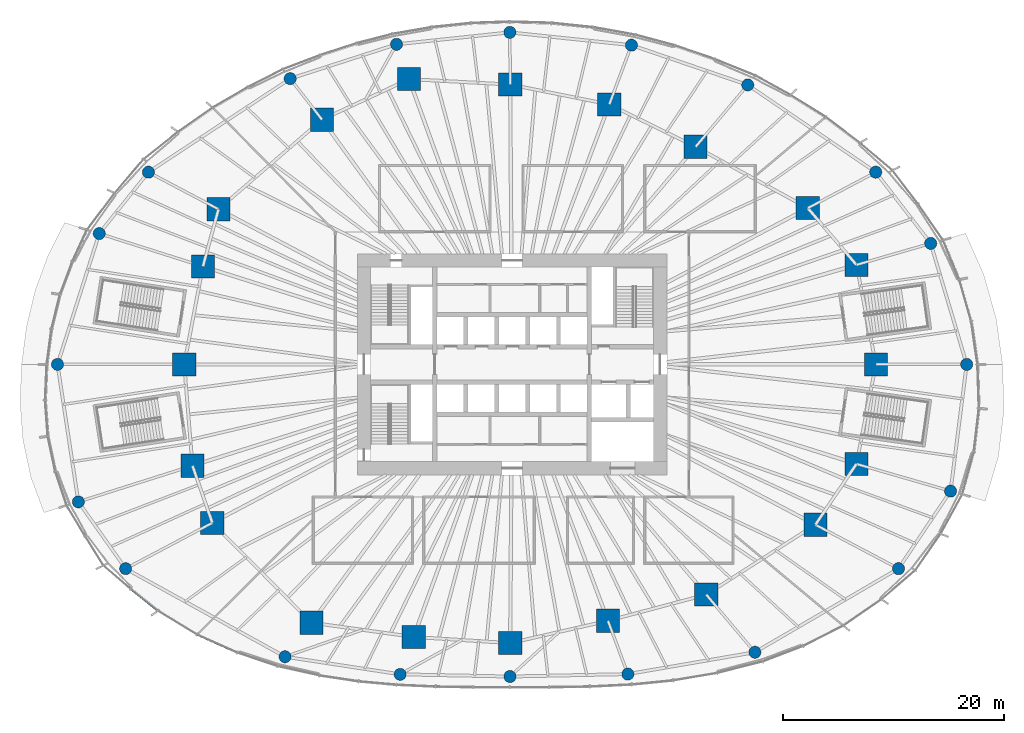
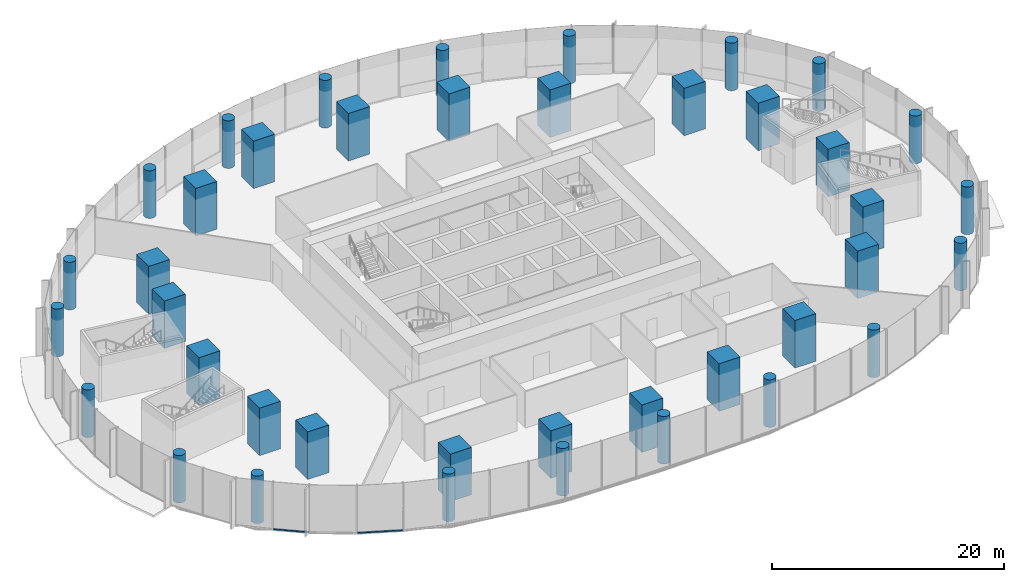
# One storey, part 1 of 28: 40 columns, 2 members, 2 elements without a shape of their own.
"""IFC4 building model written with IfcOpenShell, lengths in metres."""

import ifcopenshell
import ifcopenshell.guid

model = None  # the IFC model being written
_history = None  # IfcOwnerHistory: only IFC2X3 demands one
_inside = {}  # id of a spatial element -> (the spatial element, [elements in it])
_under = {}  # id of a project, library or spatial element -> (it, [spatial elements below it])
_declared = {}  # id of a project -> (the project, [libraries it declares])
_typed = {}  # id of a type object -> (the type object, [elements of that type])
_made_of = {}  # id of a material, layer set ... -> (it, [elements and type objects made of it])


def new_model(schema):
    """Start an empty IFC model of exactly this schema.

    Asked for "IFC4X3", IfcOpenShell would pick the latest addendum, in which some entities
    have other attributes; the version numbers below select the first issue.
    IFC2X3 requires an IfcOwnerHistory on every rooted entity: one is made here for all.
    """
    global model, _history
    if schema == "IFC4X3":
        model = ifcopenshell.file(schema_version=(4, 3, 0, 0))
    else:
        model = ifcopenshell.file(schema=schema)
    _inside.clear()
    _under.clear()
    _declared.clear()
    _typed.clear()
    _made_of.clear()
    _history = None
    if model.schema == "IFC2X3":
        org = make("IfcOrganization", Name="unknown")
        user = make(
            "IfcPersonAndOrganization",
            ThePerson=make("IfcPerson", FamilyName="unknown"),
            TheOrganization=org,
        )
        app = make(
            "IfcApplication",
            ApplicationDeveloper=org,
            Version="unknown",
            ApplicationFullName="unknown",
            ApplicationIdentifier="unknown",
        )
        _history = make(
            "IfcOwnerHistory",
            OwningUser=user,
            OwningApplication=app,
            ChangeAction="ADDED",
            CreationDate=0,
        )
    return model


def make(cls, **values):
    """One entity of the class cls with the attributes given. An attribute that is None is left unset."""
    return model.create_entity(
        cls, **{name: value for name, value in values.items() if value is not None}
    )


def rooted(cls, **values):
    """An entity with a GlobalId (a new one), such as an element, a storey or a relation."""
    return make(cls, GlobalId=ifcopenshell.guid.new(), OwnerHistory=_history, **values)


def si_unit(unit_type, name, prefix=None):
    """IfcSIUnit, for example si_unit("LENGTHUNIT", "METRE", prefix="MILLI")."""
    return make("IfcSIUnit", UnitType=unit_type, Prefix=prefix, Name=name)


def assignment(units):
    """IfcUnitAssignment: the units of a project."""
    return None if units is None else make("IfcUnitAssignment", Units=units)


def point(xyz):
    """IfcCartesianPoint."""
    return None if xyz is None else make("IfcCartesianPoint", Coordinates=xyz)


def direction(xyz):
    """IfcDirection."""
    return None if xyz is None else make("IfcDirection", DirectionRatios=xyz)


def frame(location, z_axis=None, x_axis=None):
    """IfcAxis2Placement3D, a coordinate frame: its origin and axes. An axis left out is left unset."""
    return make(
        "IfcAxis2Placement3D",
        Location=point(location),
        Axis=direction(z_axis),
        RefDirection=direction(x_axis),
    )


def frame_2d(location, x_axis=None):
    """IfcAxis2Placement2D, a coordinate frame in the plane: its origin and x axis."""
    return make(
        "IfcAxis2Placement2D", Location=point(location), RefDirection=direction(x_axis)
    )


def origin():
    """The frame at (0, 0, 0) with its axes left unset."""
    return frame((0.0, 0.0, 0.0))


def origin_2d():
    """The frame at (0, 0) in the plane with its x axis left unset."""
    return frame_2d((0.0, 0.0))


def place(relative_to, where):
    """IfcLocalPlacement: puts the frame where relative to a parent placement (None: the world)."""
    return make(
        "IfcLocalPlacement", PlacementRelTo=relative_to, RelativePlacement=where
    )


def context(
    kind, dimensions, precision=None, world=None, true_north=None, identifier=None
):
    """IfcGeometricRepresentationContext, for example the 3D "Model" context."""
    return make(
        "IfcGeometricRepresentationContext",
        ContextIdentifier=identifier,
        ContextType=kind,
        CoordinateSpaceDimension=dimensions,
        Precision=precision,
        WorldCoordinateSystem=world,
        TrueNorth=true_north,
    )


def subcontext(parent, identifier, kind, view, scale=None):
    """IfcGeometricRepresentationSubContext, for example "Body" below "Model"."""
    return make(
        "IfcGeometricRepresentationSubContext",
        ContextIdentifier=identifier,
        ContextType=kind,
        ParentContext=parent,
        TargetScale=scale,
        TargetView=view,
    )


def project(units=None, contexts=None):
    """IfcProject with its units and contexts."""
    return rooted(
        "IfcProject",
        Name="project",
        RepresentationContexts=contexts,
        UnitsInContext=assignment(units),
    )


def spatial(cls, under=None, at=None, **own):
    """A site, building, storey or space (cls), placed at a placement, below another one or the project."""
    s = rooted(cls, ObjectPlacement=at, **own)
    if under is not None:
        _under.setdefault(under.id(), (under, []))[1].append(s)
    return s


def profile(cls, at=None, kind="AREA", **sizes):
    """A parametric profile (cls). Its sizes go by their IFC names, for example OverallWidth=200.0."""
    return make(cls, ProfileType=kind, Position=at, **sizes)


def rectangle(**sizes):
    """IfcRectangleProfileDef."""
    return profile("IfcRectangleProfileDef", **sizes)


def circle(**sizes):
    """IfcCircleProfileDef."""
    return profile("IfcCircleProfileDef", **sizes)


def extrude(swept, where, along, depth):
    """IfcExtrudedAreaSolid: the profile swept, set in the frame where, extruded along a direction by depth."""
    return make(
        "IfcExtrudedAreaSolid",
        SweptArea=swept,
        Position=where,
        ExtrudedDirection=direction(along),
        Depth=depth,
    )


def shape(context_of_items, identifier, shape_type, items):
    """IfcShapeRepresentation: the items that make up one representation, for example the "Body"."""
    return make(
        "IfcShapeRepresentation",
        ContextOfItems=context_of_items,
        RepresentationIdentifier=identifier,
        RepresentationType=shape_type,
        Items=items,
    )


def material(Name=None, Category=None):
    """IfcMaterial."""
    return make("IfcMaterial", Name=Name, Category=Category)


def material_profile(
    of_material, cross_section, Name=None, Category=None, Priority=None
):
    """IfcMaterialProfile: a cross section and its material."""
    return make(
        "IfcMaterialProfile",
        Name=Name,
        Material=of_material,
        Profile=cross_section,
        Priority=Priority,
        Category=Category,
    )


def profile_set(profiles, Name=None, composite=None):
    """IfcMaterialProfileSet."""
    return make(
        "IfcMaterialProfileSet",
        Name=Name,
        MaterialProfiles=profiles,
        CompositeProfile=composite,
    )


def made_of(thing, what):
    """Note that an element or type object is made of a material, layer set ...; save() writes the relation."""
    if what is not None:
        _made_of.setdefault(what.id(), (what, []))[1].append(thing)
    return thing


def type_object(cls, material=None, **own):
    """A type object (cls), such as IfcWallType, which elements share."""
    return made_of(rooted(cls, **own), material)


def element(
    cls,
    number,
    at=None,
    inside=None,
    cuts=None,
    type_object=None,
    material=None,
    context=None,
    identifier="Body",
    shape_type=None,
    held_by="IfcProductDefinitionShape",
    body=None,
    shapes=None,
    **own,
):
    """One element of the class cls, such as IfcWall. Its Tag is "e" and its number.

    at: its placement. inside: the storey or other place that contains it. cuts: it is an
    opening in that element (IfcRelVoidsElement). A single representation is given by context,
    identifier, shape_type and body (its items); several are given by shapes. held_by: the class
    of the entity that holds the representations. save() writes the other relations.
    """
    e = rooted(cls, Tag="e%d" % number, ObjectPlacement=at, **own)
    if body is not None:
        shapes = [shape(context, identifier, shape_type, body)]
    if shapes is not None:
        e.Representation = make(held_by, Representations=shapes)
    if inside is not None:
        _inside.setdefault(inside.id(), (inside, []))[1].append(e)
    if cuts is not None:
        rooted(
            "IfcRelVoidsElement", RelatingBuildingElement=cuts, RelatedOpeningElement=e
        )
    if type_object is not None:
        _typed.setdefault(type_object.id(), (type_object, []))[1].append(e)
    return made_of(e, material)


def aggregate(whole, parts):
    """IfcRelAggregates: a whole, such as a stair, and the parts it consists of."""
    return rooted("IfcRelAggregates", RelatingObject=whole, RelatedObjects=parts)


def save(model, path):
    """Write the relations noted so far, then the file.

    IfcRelAggregates (storeys below a building ...), IfcRelContainedInSpatialStructure (elements
    in a storey), IfcRelDefinesByType, IfcRelAssociatesMaterial and IfcRelDeclares: one each for
    every whole, place, type object, material and project.
    """
    for whole, parts in _under.values():
        aggregate(whole, parts)
    for where, things in _inside.values():
        rooted(
            "IfcRelContainedInSpatialStructure",
            RelatedElements=things,
            RelatingStructure=where,
        )
    for kind, things in _typed.values():
        rooted("IfcRelDefinesByType", RelatedObjects=things, RelatingType=kind)
    for what, things in _made_of.values():
        rooted("IfcRelAssociatesMaterial", RelatedObjects=things, RelatingMaterial=what)
    for by, libraries in _declared.values():
        rooted("IfcRelDeclares", RelatingContext=by, RelatedDefinitions=libraries)
    model.write(path)


model = new_model("IFC4")

# Units and contexts
model_context = context("Model", 3, precision=1e-05, world=origin(), true_north=direction((0.0, 1.0)))
body_context = subcontext(model_context, "Body", "Model", "MODEL_VIEW")
ifc_project = project(units=[si_unit("LENGTHUNIT", "METRE"), si_unit("AREAUNIT", "SQUARE_METRE"), si_unit("VOLUMEUNIT", "CUBIC_METRE"), si_unit("PLANEANGLEUNIT", "RADIAN"), si_unit("MASSUNIT", "GRAM", prefix="KILO")], contexts=[model_context])

# Site, building, storey
site_placement = place(None, origin())
site = spatial("IfcSite", under=ifc_project, at=site_placement, CompositionType="ELEMENT")
building_placement = place(site_placement, origin())
building = spatial("IfcBuilding", under=site, at=building_placement, Name="Ghaith Harvest Tower", CompositionType="ELEMENT")
storey_placement = place(building_placement, frame((0.0, 0.0, 5.0)))
storey = spatial("IfcBuildingStorey", under=building, at=storey_placement, Name="L01", CompositionType="ELEMENT", Elevation=5.0)

# Columns
ifc_material_1 = material(Name="Concrete C70/85", Category="concrete")
ifc_material_profile_1 = material_profile(ifc_material_1, circle(Radius=0.550048828125, at=origin_2d()), Name="RC1100D")
ifc_profile_set_1 = profile_set([ifc_material_profile_1], Name="Concrete C70/85")
column_type_1 = type_object("IfcColumnType", Name="PC1 RC1100D", PredefinedType="COLUMN", material=ifc_profile_set_1)
for number, where, z_axis, x_axis, name in (
    (1, (41.14111328125, 0.0, 0.0), (0.0, 0.0, 1.0), (1.0, 0.0, 0.0), "Podium column P01"),
    (2, (37.884033203125, 10.948974609375, 0.0), (0.0, 0.0, 1.0), (1.0, 0.0, 0.0), "Podium column P02"),
    (3, (32.909912109375, 17.39501953125, 0.0), (0.0, 0.0, 1.0), (1.0, 0.0, 0.0), "Podium column P03"),
    (4, (21.327880859375, 25.2919921875, 0.0), (0.0, 0.0, 1.0), (1.0, 0.0, 0.0), "Podium column P04"),
    (5, (10.801025390625, 28.89208984375, 0.0), (0.0, 0.0, 1.0), (1.0, 0.0, 0.0), "Podium column P05"),
    (6, (-0.2060546875, 30.049072265625, 0.0), (0.0, 0.0, 1.0), (1.0, 0.0, 0.0), "Podium column P06"),
    (7, (-10.4619140625, 28.967041015625, 0.0), (0.0, 0.0, 1.0), (1.0, 0.0, 0.0), "Podium column P07"),
    (8, (-20.08203125, 25.85791015625, 0.0), (0.0, 0.0, 1.0), (1.0, 0.0, 0.0), "Podium column P08"),
    (9, (-32.9150390625, 17.39794921875, 0.0), (0.0, 0.0, 1.0), (1.0, 0.0, 0.0), "Podium column P09"),
    (10, (-37.363037109375, 11.841064453125, 0.0), (0.0, 0.0, 1.0), (1.0, 0.0, 0.0), "Podium column P10"),
    (11, (-41.14208984375, 0.0, 0.0), (0.0, 0.0, 1.0), (1.0, 0.0, 0.0), "Podium column P11"),
    (12, (-39.256103515625, -12.44091796875, 0.0), (0.0, 0.0, 1.0), (1.0, 0.0, 0.0), "Podium column P12"),
    (13, (-34.97509765625, -18.487060546875, 0.0), (0.0, 0.0, 1.0), (1.0, 0.0, 0.0), "Podium column P13"),
    (14, (-20.549072265625, -26.458984375, 0.0), (0.0, 0.0, 1.0), (1.0, 0.0, 0.0), "Podium column P14"),
    (15, (-10.131103515625, -28.050048828125, 0.0), (0.0, 0.0, 1.0), (1.0, 0.0, 0.0), "Podium column P15"),
    (16, (-0.193115234375, -28.25, 0.0), (0.0, 0.0, 1.0), (1.0, 0.0, 0.0), "Podium column P16"),
    (17, (10.47705078125, -28.027099609375, 0.0), (0.0, 0.0, 1.0), (1.0, 0.0, 0.0), "Podium column P17"),
    (18, (21.968994140625, -26.052001953125, 0.0), (0.0, 0.0, 1.0), (1.0, 0.0, 0.0), "Podium column P18"),
    (19, (34.969970703125, -18.48388671875, 0.0), (0.0, 0.0, 1.0), (1.0, 0.0, 0.0), "Podium column P19"),
    (20, (39.680908203125, -11.468994140625, 0.0), (0.0, 0.0, 1.0), (1.0, 0.0, 0.0), "Podium column P20"),
):
    element("IfcColumn", number, at=place(storey_placement, frame(where, z_axis=z_axis, x_axis=x_axis)), inside=storey, type_object=column_type_1, Name=name, PredefinedType="COLUMN", context=body_context, shape_type="SweptSolid", body=[
        extrude(circle(Radius=0.550048828125, at=origin_2d()), origin(), (0.0, 0.0, 1.0), 5.0),
    ])
ifc_material_2 = material(Name="Concrete C70/85", Category="concrete")
ifc_material_profile_2 = material_profile(ifc_material_2, rectangle(XDim=2.10009765625, YDim=2.10009765625, at=origin_2d()), Name="RC2100X2100")
ifc_profile_set_2 = profile_set([ifc_material_profile_2], Name="Concrete C70/85")
column_type_2 = type_object("IfcColumnType", Name="TC1 RC2100X2100", PredefinedType="COLUMN", material=ifc_profile_set_2)
for number, where, z_axis, x_axis, name in (
    (21, (32.925048828125, 0.0, 0.0), (0.0, 0.0, 1.0), (1.0, 0.0, 0.0), "Perimeter column C01"),
    (22, (31.166015625, 9.008056640625, 0.0), (0.0, 0.0, 1.0), (1.0, 0.0, 0.0), "Perimeter column C02"),
    (23, (26.763916015625, 14.14697265625, 0.0), (0.0, 0.0, 1.0), (1.0, 0.0, 0.0), "Perimeter column C03"),
    (24, (16.60791015625, 19.695068359375, 0.0), (0.0, 0.0, 1.0), (1.0, 0.0, 0.0), "Perimeter column C04"),
    (25, (8.794921875, 23.527099609375, 0.0), (0.0, 0.0, 1.0), (1.0, 0.0, 0.0), "Perimeter column C05"),
    (26, (-0.173095703125, 25.326904296875, 0.0), (0.0, 0.0, 1.0), (1.0, 0.0, 0.0), "Perimeter column C06"),
    (27, (-9.325927734375, 25.821044921875, 0.0), (0.0, 0.0, 1.0), (1.0, 0.0, 0.0), "Perimeter column C07"),
    (28, (-17.201904296875, 22.14990234375, 0.0), (0.0, 0.0, 1.0), (1.0, 0.0, 0.0), "Perimeter column C08"),
    (29, (-26.572998046875, 14.0458984375, 0.0), (0.0, 0.0, 1.0), (1.0, 0.0, 0.0), "Perimeter column C09"),
    (30, (-27.98291015625, 8.867919921875, 0.0), (0.0, 0.0, 1.0), (1.0, 0.0, 0.0), "Perimeter column C10"),
    (31, (-29.675048828125, 0.0, 0.0), (0.0, 0.0, 1.0), (1.0, 0.0, 0.0), "Perimeter column C11"),
    (32, (-28.929931640625, -9.16796875, 0.0), (0.0, 0.0, 1.0), (1.0, 0.0, 0.0), "Perimeter column C12"),
    (33, (-27.132080078125, -14.341064453125, 0.0), (0.0, 0.0, 1.0), (1.0, 0.0, 0.0), "Perimeter column C13"),
    (34, (-18.157958984375, -23.3798828125, 0.0), (0.0, 0.0, 1.0), (1.0, 0.0, 0.0), "Perimeter column C14"),
    (35, (-8.908935546875, -24.66796875, 0.0), (0.0, 0.0, 1.0), (1.0, 0.0, 0.0), "Perimeter column C15"),
    (36, (-0.173095703125, -25.22412109375, 0.0), (0.0, 0.0, 1.0), (1.0, 0.0, 0.0), "Perimeter column C16"),
    (37, (8.674072265625, -23.202880859375, 0.0), (0.0, 0.0, 1.0), (1.0, 0.0, 0.0), "Perimeter column C17"),
    (38, (17.572021484375, -20.8369140625, 0.0), (0.0, 0.0, 1.0), (1.0, 0.0, 0.0), "Perimeter column C18"),
    (39, (27.448974609375, -14.509033203125, 0.0), (0.0, 0.0, 1.0), (1.0, 0.0, 0.0), "Perimeter column C19"),
    (40, (31.166015625, -9.008056640625, 0.0), (0.0, 0.0, 1.0), (1.0, 0.0, 0.0), "Perimeter column C20"),
):
    element("IfcColumn", number, at=place(storey_placement, frame(where, z_axis=z_axis, x_axis=x_axis)), inside=storey, type_object=column_type_2, Name=name, PredefinedType="COLUMN", context=body_context, shape_type="SweptSolid", body=[
        extrude(rectangle(XDim=2.10009765625, YDim=2.10009765625, at=origin_2d()), origin(), (0.0, 0.0, 1.0), 5.0),
    ])

# Curtain wall, member
ifc_material_3 = material(Name="Black anodised aluminium and fritted glass", Category="aluminium")
curtain_wall_type = type_object("IfcCurtainWallType", Name="CW-P CURTAIN WALL", PredefinedType="NOTDEFINED", material=ifc_material_3)
curtain_wall_1_placement = place(storey_placement, origin())
curtain_wall_1 = element("IfcCurtainWall", 41, at=curtain_wall_1_placement, inside=storey, type_object=curtain_wall_type, Name="Curtain wall CW-P bay 12 L01", PredefinedType="NOTDEFINED")
ifc_material_4 = material(Name="Aluminium, black anodised", Category="aluminium")
ifc_material_profile_3 = material_profile(ifc_material_4, rectangle(XDim=0.179931640625, YDim=0.080078125, at=origin_2d()), Name="CW-P TRANSOM 180x80")
ifc_profile_set_3 = profile_set([ifc_material_profile_3], Name="Aluminium, black anodised")
member_type = type_object("IfcMemberType", Name="CW-P TRANSOM 180x80", PredefinedType="USERDEFINED", material=ifc_profile_set_3)
member_1_placement = place(storey_placement, frame((-34.473388671875, -20.365234375, 0.0400390625), z_axis=(0.781902271011, -0.623401025495, 0.0), x_axis=(0.623401025495, 0.781902271011, 0.0)))
member_1 = element("IfcMember", 42, at=member_1_placement, type_object=member_type, Name="CW-P transom 4 bay 12 L01", ObjectType="TRANSOM", PredefinedType="USERDEFINED", context=body_context, shape_type="SweptSolid", body=[
    extrude(rectangle(XDim=0.179931640625, YDim=0.080078125, at=origin_2d()), origin(), (0.0, 0.0, 1.0), 3.06201171875),
])
aggregate(curtain_wall_1, [member_1])

curtain_wall_2_placement = place(storey_placement, origin())
curtain_wall_2 = element("IfcCurtainWall", 43, at=curtain_wall_2_placement, inside=storey, type_object=curtain_wall_type, Name="Curtain wall CW-P bay 13 L01", PredefinedType="NOTDEFINED")
member_2_placement = place(storey_placement, frame((-28.482421875, -24.4677734375, 0.0400390625), z_axis=(0.912058610921, -0.410059861782, 0.0), x_axis=(0.410059861782, 0.912058610921, 0.0)))
member_2 = element("IfcMember", 44, at=member_2_placement, type_object=member_type, Name="CW-P transom 2 bay 13 L01", ObjectType="TRANSOM", PredefinedType="USERDEFINED", context=body_context, shape_type="SweptSolid", body=[
    extrude(rectangle(XDim=0.179931640625, YDim=0.080078125, at=origin_2d()), origin(), (0.0, 0.0, 1.0), 3.93017578125),
])
aggregate(curtain_wall_2, [member_2])

save(model, "model.ifc")
